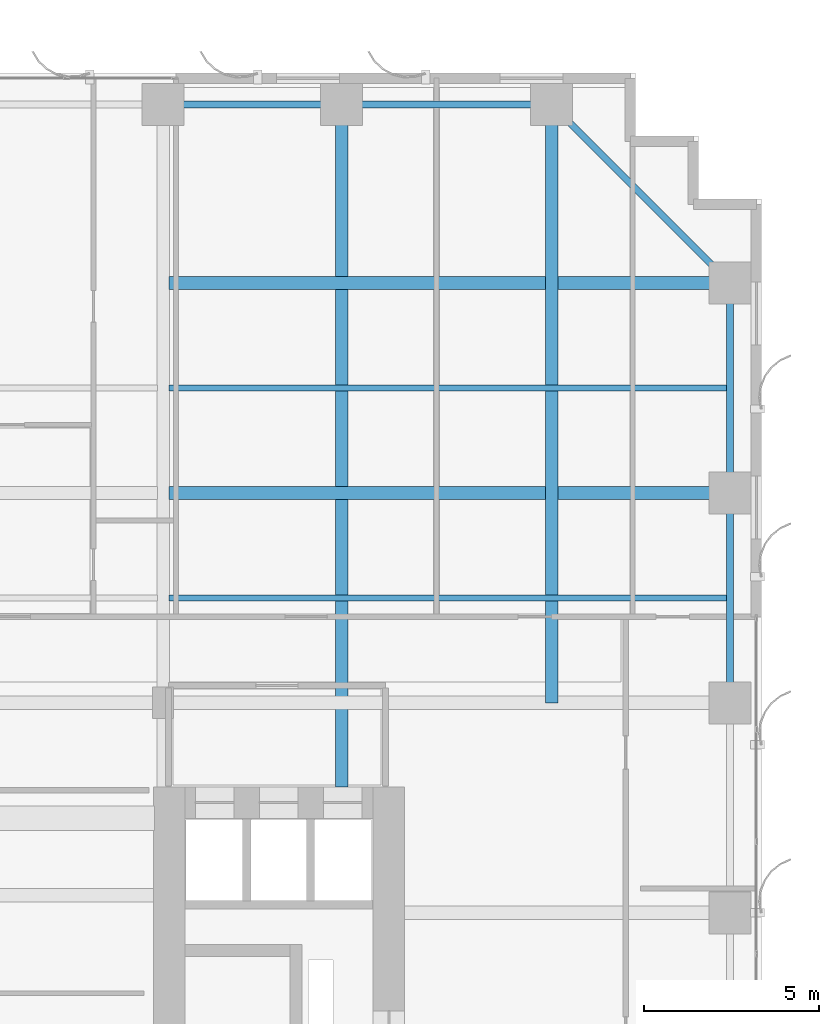
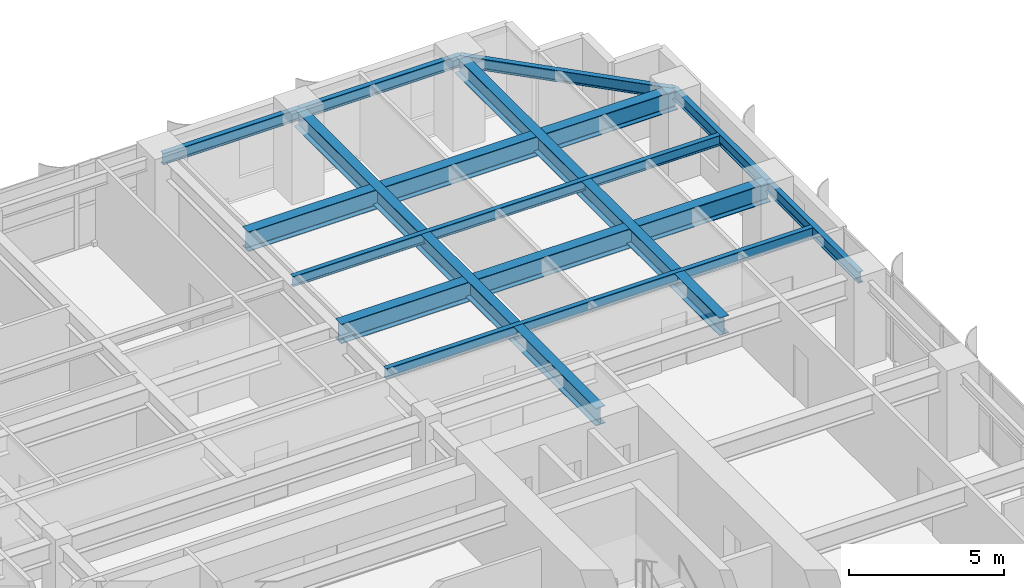
# One storey, part 12 of 23: 11 beams.
"""IFC4 building model written with IfcOpenShell, lengths in metres."""

from ifc_helpers import new_model, si_unit, direction, frame, origin, origin_2d, place, context, subcontext, project, spatial, i_section, extrude, source, transform, mapped, material, material_profile, profile_set, type_object, element, save


model = new_model("IFC4")

# Units and contexts
model_context = context("Model", 3, precision=1e-05, world=origin(), true_north=direction((0.0, 1.0)))
body_context = subcontext(model_context, "Body", "Model", "MODEL_VIEW")
ifc_project = project(units=[si_unit("LENGTHUNIT", "METRE"), si_unit("AREAUNIT", "SQUARE_METRE"), si_unit("VOLUMEUNIT", "CUBIC_METRE"), si_unit("PLANEANGLEUNIT", "RADIAN"), si_unit("MASSUNIT", "GRAM", prefix="KILO")], contexts=[model_context])

# Site, building, storey
site_placement = place(None, origin())
site = spatial("IfcSite", under=ifc_project, at=site_placement, CompositionType="ELEMENT")
building_placement = place(site_placement, origin())
building = spatial("IfcBuilding", under=site, at=building_placement, Name="Khoralis Quay Care Tower", CompositionType="ELEMENT")
storey_placement = place(building_placement, frame((0.0, 0.0, 33.300048828125)))
storey = spatial("IfcBuildingStorey", under=building, at=storey_placement, Name="L08", CompositionType="ELEMENT", Elevation=33.300048828125)

# Beams
ifc_material = material(Name="Steel S355", Category="steel")
ifc_material_profile_1 = material_profile(ifc_material, i_section(OverallWidth=0.18994140625, OverallDepth=0.449951171875, WebThickness=0.009521484375, FlangeThickness=0.0146484375, FilletRadius=0.02099609375, at=origin_2d()), Name="Steel S355")
ifc_profile_set_1 = profile_set([ifc_material_profile_1], Name="Steel S355")
beam_type_1 = type_object("IfcBeamType", Name="BM-IPE450", PredefinedType="SPANDREL", material=ifc_profile_set_1)
shared_shape_1 = source(origin(), body_context, "Body", "SweptSolid", [
    extrude(i_section(OverallWidth=0.18994140625, OverallDepth=0.449951171875, WebThickness=0.009521484375, FlangeThickness=0.0146484375, FilletRadius=0.02099609375, at=origin_2d()), origin(), (0.0, 0.0, 1.0), 6.0),
])
for number, where, z_axis, x_axis, name in (
    (1, (36.0, 47.10009765625, 3.094970703125), (1.0, 0.0, 0.0), (0.0, 1.0, 0.0), "BM-TSP-L08-12"),
    (2, (47.10009765625, 30.0, 3.094970703125), (0.0, 1.0, 0.0), (-1.0, 0.0, 0.0), "BM-TSP-L08-23"),
    (3, (47.10009765625, 36.0, 3.094970703125), (0.0, 1.0, 0.0), (-1.0, 0.0, 0.0), "BM-TSP-L08-24"),
):
    element("IfcBeam", number, at=place(storey_placement, frame(where, z_axis=z_axis, x_axis=x_axis)), inside=storey, type_object=beam_type_1, Name=name, PredefinedType="SPANDREL", context=body_context, shape_type="MappedRepresentation", body=[
        mapped(shared_shape_1, transform((0.0, 0.0, 0.0), scale=1.0)),
    ])
shared_shape_2 = source(origin(), body_context, "Body", "SweptSolid", [
    extrude(i_section(OverallWidth=0.18994140625, OverallDepth=0.449951171875, WebThickness=0.009521484375, FlangeThickness=0.0146484375, FilletRadius=0.02099609375, at=origin_2d()), origin(), (0.0, 0.0, 1.0), 5.10009765625),
])
beam_1_placement = place(storey_placement, frame((30.89990234375, 47.10009765625, 3.094970703125), z_axis=(1.0, 0.0, 0.0), x_axis=(0.0, 1.0, 0.0)))
element("IfcBeam", 4, at=beam_1_placement, inside=storey, type_object=beam_type_1, Name="BM-TSP-L08-11", PredefinedType="SPANDREL", context=body_context, shape_type="MappedRepresentation", body=[
    mapped(shared_shape_2, transform((0.0, 0.0, 0.0), scale=1.0)),
])
shared_shape_3 = source(origin(), body_context, "Body", "SweptSolid", [
    extrude(i_section(OverallWidth=0.18994140625, OverallDepth=0.449951171875, WebThickness=0.009521484375, FlangeThickness=0.0146484375, FilletRadius=0.02099609375, at=origin_2d()), origin(), (0.0, 0.0, 1.0), 7.212646484375),
])
beam_2_placement = place(storey_placement, frame((42.0, 47.10009765625, 3.094970703125), z_axis=(0.707106781187, -0.707106781187, 0.0), x_axis=(0.707106781187, 0.707106781187, 0.0)))
element("IfcBeam", 5, at=beam_2_placement, inside=storey, type_object=beam_type_1, Name="BM-TCR-L08-28", PredefinedType="SPANDREL", context=body_context, shape_type="MappedRepresentation", body=[
    mapped(shared_shape_3, transform((0.0, 0.0, 0.0), scale=1.0)),
])
ifc_material_profile_2 = material_profile(ifc_material, i_section(OverallWidth=0.381103515625, OverallDepth=0.77294921875, WebThickness=0.0166015625, FlangeThickness=0.027587890625, FilletRadius=0.02197265625, at=origin_2d()), Name="Steel S355")
ifc_profile_set_2 = profile_set([ifc_material_profile_2], Name="Steel S355")
beam_type_2 = type_object("IfcBeamType", Name="BM-W760X257", PredefinedType="BEAM", material=ifc_profile_set_2)
shared_shape_4 = source(origin(), body_context, "Body", "SweptSolid", [
    extrude(i_section(OverallWidth=0.381103515625, OverallDepth=0.77294921875, WebThickness=0.0166015625, FlangeThickness=0.027587890625, FilletRadius=0.02197265625, at=origin_2d()), origin(), (0.0, 0.0, 1.0), 16.03466796875),
])
for number, where, z_axis, x_axis, name in (
    (6, (31.0654296875, 36.0, 2.933349609375), (1.0, 0.0, 0.0), (0.0, 1.0, 0.0), "BM-TGXE-L08-360"),
    (7, (31.0654296875, 42.0, 2.933349609375), (1.0, 0.0, 0.0), (0.0, 1.0, 0.0), "BM-TGXE-L08-420"),
):
    element("IfcBeam", number, at=place(storey_placement, frame(where, z_axis=z_axis, x_axis=x_axis)), inside=storey, type_object=beam_type_2, Name=name, PredefinedType="BEAM", context=body_context, shape_type="MappedRepresentation", body=[
        mapped(shared_shape_4, transform((0.0, 0.0, 0.0), scale=1.0)),
    ])
ifc_material_profile_3 = material_profile(ifc_material, i_section(OverallWidth=0.35498046875, OverallDepth=0.695068359375, WebThickness=0.015380859375, FlangeThickness=0.02490234375, FilletRadius=0.02001953125, at=origin_2d()), Name="Steel S355")
ifc_profile_set_3 = profile_set([ifc_material_profile_3], Name="Steel S355")
beam_type_3 = type_object("IfcBeamType", Name="BM-W690X217", PredefinedType="BEAM", material=ifc_profile_set_3)
shared_shape_5 = source(origin(), body_context, "Body", "SweptSolid", [
    extrude(i_section(OverallWidth=0.35498046875, OverallDepth=0.695068359375, WebThickness=0.015380859375, FlangeThickness=0.02490234375, FilletRadius=0.02001953125, at=origin_2d()), origin(), (0.0, 0.0, 1.0), 17.10009765625),
])
beam_3_placement = place(storey_placement, frame((42.0, 30.0, 2.972412109375), z_axis=(0.0, 1.0, 0.0), x_axis=(-1.0, 0.0, 0.0)))
element("IfcBeam", 8, at=beam_3_placement, inside=storey, type_object=beam_type_3, Name="BM-TGYN-L08-420", PredefinedType="BEAM", context=body_context, shape_type="MappedRepresentation", body=[
    mapped(shared_shape_5, transform((0.0, 0.0, 0.0), scale=1.0)),
])
shared_shape_6 = source(origin(), body_context, "Body", "SweptSolid", [
    extrude(i_section(OverallWidth=0.35498046875, OverallDepth=0.695068359375, WebThickness=0.015380859375, FlangeThickness=0.02490234375, FilletRadius=0.02001953125, at=origin_2d()), origin(), (0.0, 0.0, 1.0), 19.502197265625),
])
beam_4_placement = place(storey_placement, frame((36.0, 27.597900390625, 2.972412109375), z_axis=(0.0, 1.0, 0.0), x_axis=(-1.0, 0.0, 0.0)))
element("IfcBeam", 9, at=beam_4_placement, inside=storey, type_object=beam_type_3, Name="BM-TGYN-L08-360", PredefinedType="BEAM", context=body_context, shape_type="MappedRepresentation", body=[
    mapped(shared_shape_6, transform((0.0, 0.0, 0.0), scale=1.0)),
])
ifc_material_profile_4 = material_profile(ifc_material, i_section(OverallWidth=0.177978515625, OverallDepth=0.406982421875, WebThickness=0.0078125, FlangeThickness=0.0126953125, FilletRadius=0.012939453125, at=origin_2d()), Name="Steel S355")
ifc_profile_set_4 = profile_set([ifc_material_profile_4], Name="Steel S355")
beam_type_4 = type_object("IfcBeamType", Name="BM-W410X60", PredefinedType="JOIST", material=ifc_profile_set_4)
shared_shape_7 = source(origin(), body_context, "Body", "SweptSolid", [
    extrude(i_section(OverallWidth=0.177978515625, OverallDepth=0.406982421875, WebThickness=0.0078125, FlangeThickness=0.0126953125, FilletRadius=0.012939453125, at=origin_2d()), origin(), (0.0, 0.0, 1.0), 15.95361328125),
])
for number, where, z_axis, x_axis, name in (
    (10, (31.0654296875, 33.0, 3.116455078125), (1.0, 0.0, 0.0), (0.0, 1.0, 0.0), "BM-TJS-L08-33"),
    (11, (31.0654296875, 39.0, 3.116455078125), (1.0, 0.0, 0.0), (0.0, 1.0, 0.0), "BM-TJS-L08-36"),
):
    element("IfcBeam", number, at=place(storey_placement, frame(where, z_axis=z_axis, x_axis=x_axis)), inside=storey, type_object=beam_type_4, Name=name, PredefinedType="JOIST", context=body_context, shape_type="MappedRepresentation", body=[
        mapped(shared_shape_7, transform((0.0, 0.0, 0.0), scale=1.0)),
    ])

save(model, "model.ifc")
